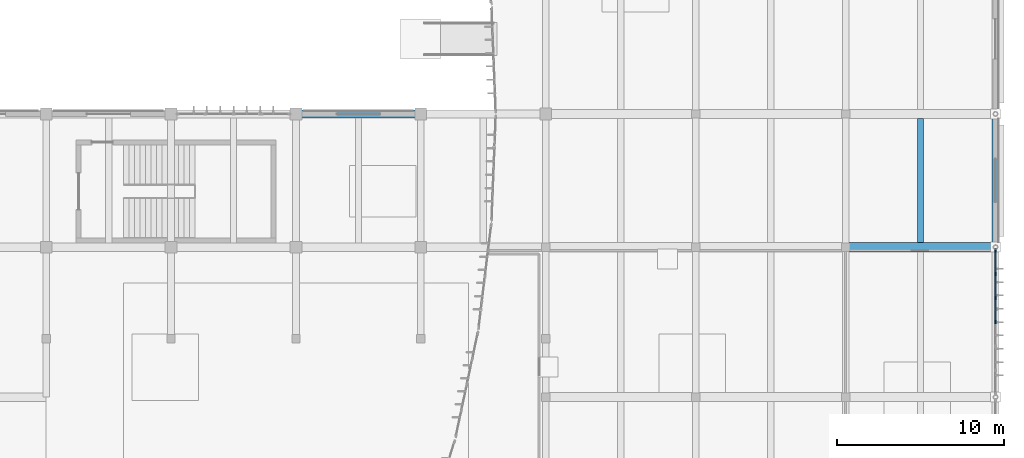
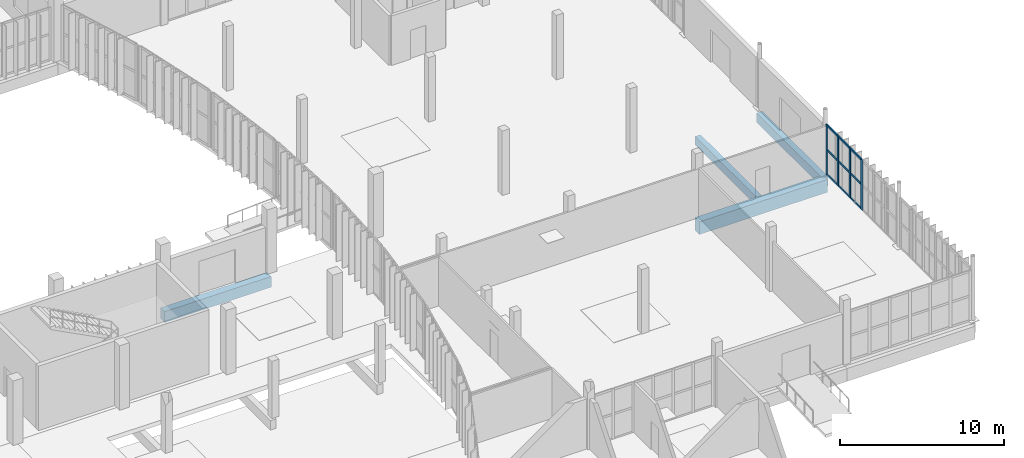
# One storey, part 28 of 72: 13 members, 4 beams, 1 element without a shape of its own.
"""IFC4 building model written with IfcOpenShell, lengths in metres."""

from ifc_helpers import new_model, si_unit, direction, frame, origin, origin_2d, place, context, subcontext, project, spatial, rectangle, extrude, material, material_profile, profile_set, type_object, element, aggregate, save


model = new_model("IFC4")

# Units and contexts
model_context = context("Model", 3, precision=1e-05, world=origin(), true_north=direction((0.0, 1.0)))
body_context = subcontext(model_context, "Body", "Model", "MODEL_VIEW")
ifc_project = project(units=[si_unit("LENGTHUNIT", "METRE"), si_unit("AREAUNIT", "SQUARE_METRE"), si_unit("VOLUMEUNIT", "CUBIC_METRE"), si_unit("PLANEANGLEUNIT", "RADIAN"), si_unit("MASSUNIT", "GRAM", prefix="KILO")], contexts=[model_context])

# Site, building, storey
site_placement = place(None, origin())
site = spatial("IfcSite", under=ifc_project, at=site_placement, CompositionType="ELEMENT")
building_placement = place(site_placement, origin())
building = spatial("IfcBuilding", under=site, at=building_placement, Name="Vourika Railside Aquatics Centre", CompositionType="ELEMENT")
storey_placement = place(building_placement, origin())
storey = spatial("IfcBuildingStorey", under=building, at=storey_placement, Name="L00", CompositionType="ELEMENT", Elevation=0.0)

# Beams
ifc_material_1 = material(Name="Concrete C35/45", Category="concrete")
ifc_material_profile_1 = material_profile(ifc_material_1, rectangle(XDim=0.39990234375, YDim=0.699951171875, at=origin_2d()), Name="RC 400x700")
ifc_profile_set_1 = profile_set([ifc_material_profile_1], Name="Concrete C35/45")
beam_type_1 = type_object("IfcBeamType", Name="BM-GIRD-400x700", PredefinedType="BEAM", material=ifc_profile_set_1)
beam_1_placement = place(storey_placement, frame((168.0, 58.0, -0.669921875), z_axis=(0.0, 1.0, 0.0), x_axis=(-1.0, 0.0, 0.0)))
element("IfcBeam", 1, at=beam_1_placement, inside=storey, type_object=beam_type_1, Name="Floor Girder GY-L00-346", PredefinedType="BEAM", context=body_context, shape_type="SweptSolid", body=[
    extrude(rectangle(XDim=0.39990234375, YDim=0.699951171875, at=origin_2d()), origin(), (0.0, 0.0, 1.0), 8.0),
])
ifc_material_2 = material(Name="Concrete C40/50", Category="concrete")
ifc_material_profile_2 = material_profile(ifc_material_2, rectangle(XDim=0.550048828125, YDim=0.949951171875, at=origin_2d()), Name="RC 550x950")
ifc_profile_set_2 = profile_set([ifc_material_profile_2], Name="Concrete C40/50")
beam_type_2 = type_object("IfcBeamType", Name="BM-GIRD-550x950", PredefinedType="BEAM", material=ifc_profile_set_2)
beam_2_placement = place(storey_placement, frame((159.0, 58.0, -0.794921875), z_axis=(1.0, 0.0, 0.0), x_axis=(0.0, 1.0, 0.0)))
element("IfcBeam", 2, at=beam_2_placement, inside=storey, type_object=beam_type_2, Name="Floor Beam GX-L00-094", PredefinedType="BEAM", context=body_context, shape_type="SweptSolid", body=[
    extrude(rectangle(XDim=0.550048828125, YDim=0.949951171875, at=origin_2d()), origin(), (0.0, 0.0, 1.0), 9.0),
])
ifc_material_profile_3 = material_profile(ifc_material_1, rectangle(XDim=0.3798828125, YDim=0.64990234375, at=origin_2d()), Name="RC 380x650")
ifc_profile_set_3 = profile_set([ifc_material_profile_3], Name="Concrete C35/45")
beam_type_3 = type_object("IfcBeamType", Name="BM-SEC-380x650", PredefinedType="JOIST", material=ifc_profile_set_3)
beam_3_placement = place(storey_placement, frame((163.5, 58.27490234375, -0.64501953125), z_axis=(0.0, 1.0, 0.0), x_axis=(-1.0, 0.0, 0.0)))
element("IfcBeam", 3, at=beam_3_placement, inside=storey, type_object=beam_type_3, Name="Secondary Joist JY-L00-418", PredefinedType="JOIST", context=body_context, shape_type="SweptSolid", body=[
    extrude(rectangle(XDim=0.3798828125, YDim=0.64990234375, at=origin_2d()), origin(), (0.0, 0.0, 1.0), 7.4501953125),
])
ifc_material_profile_4 = material_profile(ifc_material_2, rectangle(XDim=0.5, YDim=0.800048828125, at=origin_2d()), Name="RC 500x800")
ifc_profile_set_4 = profile_set([ifc_material_profile_4], Name="Concrete C40/50")
beam_type_4 = type_object("IfcBeamType", Name="BM-TIE-500x800", PredefinedType="BEAM", material=ifc_profile_set_4)
beam_4_placement = place(storey_placement, frame((126.0, 66.0, -0.719970703125), z_axis=(1.0, 0.0, 0.0), x_axis=(0.0, 1.0, 0.0)))
element("IfcBeam", 4, at=beam_4_placement, inside=storey, type_object=beam_type_4, Name="Floor Beam GX-L00-109", PredefinedType="BEAM", context=body_context, shape_type="SweptSolid", body=[
    extrude(rectangle(XDim=0.5, YDim=0.800048828125, at=origin_2d()), origin(), (0.0, 0.0, 1.0), 7.5),
])

# Curtain wall, members
ifc_material_3 = material(Name="Anodized thermally broken aluminium", Category="aluminium")
curtain_wall_type = type_object("IfcCurtainWallType", Name="CW-FOYE", PredefinedType="NOTDEFINED", material=ifc_material_3)
curtain_wall_placement = place(storey_placement, origin())
curtain_wall = element("IfcCurtainWall", 5, at=curtain_wall_placement, inside=storey, type_object=curtain_wall_type, Name="East Arrival Facade Curtain Wall L00-2", PredefinedType="NOTDEFINED")
ifc_material_4 = material(Name="Anodized aluminium mullion", Category="aluminium")
ifc_material_profile_5 = material_profile(ifc_material_4, rectangle(XDim=0.074951171875, YDim=0.199951171875, at=origin_2d()), Name="ALU-M 75x200")
ifc_profile_set_5 = profile_set([ifc_material_profile_5], Name="Anodized aluminium mullion")
member_type_1 = type_object("IfcMemberType", Name="CWM-FOYE", PredefinedType="MULLION", material=ifc_profile_set_5)
member_1_placement = place(storey_placement, frame((168.0, 53.5, 0.0), z_axis=(0.0, 0.0, 1.0), x_axis=(-1.0, 0.0, 0.0)))
member_1 = element("IfcMember", 6, at=member_1_placement, type_object=member_type_1, Name="CW10 mullion 4", PredefinedType="MULLION", context=body_context, shape_type="SweptSolid", body=[
    extrude(rectangle(XDim=0.074951171875, YDim=0.199951171875, at=origin_2d()), origin(), (0.0, 0.0, 1.0), 3.72998046875),
])
member_2_placement = place(storey_placement, frame((168.0, 54.944580078125, 0.0), z_axis=(0.0, 0.0, 1.0), x_axis=(-1.0, 0.0, 0.0)))
member_2 = element("IfcMember", 7, at=member_2_placement, type_object=member_type_1, Name="CW10 mullion 5", PredefinedType="MULLION", context=body_context, shape_type="SweptSolid", body=[
    extrude(rectangle(XDim=0.074951171875, YDim=0.199951171875, at=origin_2d()), origin(), (0.0, 0.0, 1.0), 3.72998046875),
])
member_3_placement = place(storey_placement, frame((168.0, 56.388916015625, 0.0), z_axis=(0.0, 0.0, 1.0), x_axis=(-1.0, 0.0, 0.0)))
member_3 = element("IfcMember", 8, at=member_3_placement, type_object=member_type_1, Name="CW10 mullion 6", PredefinedType="MULLION", context=body_context, shape_type="SweptSolid", body=[
    extrude(rectangle(XDim=0.074951171875, YDim=0.199951171875, at=origin_2d()), origin(), (0.0, 0.0, 1.0), 3.72998046875),
])
member_4_placement = place(storey_placement, frame((168.0, 57.7958984375, 0.0), z_axis=(0.0, 0.0, 1.0), x_axis=(-1.0, 0.0, 0.0)))
member_4 = element("IfcMember", 9, at=member_4_placement, type_object=member_type_1, Name="CW10 mullion 7", PredefinedType="MULLION", context=body_context, shape_type="SweptSolid", body=[
    extrude(rectangle(XDim=0.074951171875, YDim=0.199951171875, at=origin_2d()), origin(), (0.0, 0.0, 1.0), 3.72998046875),
])
ifc_material_5 = material(Name="Anodized aluminium transom", Category="aluminium")
ifc_material_profile_6 = material_profile(ifc_material_5, rectangle(XDim=0.074951171875, YDim=0.157958984375, at=origin_2d()), Name="ALU-T 75x158")
ifc_profile_set_6 = profile_set([ifc_material_profile_6], Name="Anodized aluminium transom")
member_type_2 = type_object("IfcMemberType", Name="CWT-FOYE", PredefinedType="USERDEFINED", material=ifc_profile_set_6)
member_5_placement = place(storey_placement, frame((168.0, 53.53759765625, 0.03759765625), z_axis=(0.0, 1.0, 0.0), x_axis=(-1.0, 0.0, 0.0)))
member_5 = element("IfcMember", 10, at=member_5_placement, type_object=member_type_2, Name="CW10 transom 4.1", ObjectType="TRANSOM", PredefinedType="USERDEFINED", context=body_context, shape_type="SweptSolid", body=[
    extrude(rectangle(XDim=0.074951171875, YDim=0.157958984375, at=origin_2d()), origin(), (0.0, 0.0, 1.0), 1.369384765625),
])
member_6_placement = place(storey_placement, frame((168.0, 53.53759765625, 1.864990234375), z_axis=(0.0, 1.0, 0.0), x_axis=(-1.0, 0.0, 0.0)))
member_6 = element("IfcMember", 11, at=member_6_placement, type_object=member_type_2, Name="CW10 transom 4.2", ObjectType="TRANSOM", PredefinedType="USERDEFINED", context=body_context, shape_type="SweptSolid", body=[
    extrude(rectangle(XDim=0.074951171875, YDim=0.157958984375, at=origin_2d()), origin(), (0.0, 0.0, 1.0), 1.369384765625),
])
member_7_placement = place(storey_placement, frame((168.0, 53.53759765625, 3.6923828125), z_axis=(0.0, 1.0, 0.0), x_axis=(-1.0, 0.0, 0.0)))
member_7 = element("IfcMember", 12, at=member_7_placement, type_object=member_type_2, Name="CW10 transom 4.3", ObjectType="TRANSOM", PredefinedType="USERDEFINED", context=body_context, shape_type="SweptSolid", body=[
    extrude(rectangle(XDim=0.074951171875, YDim=0.157958984375, at=origin_2d()), origin(), (0.0, 0.0, 1.0), 1.369384765625),
])
member_8_placement = place(storey_placement, frame((168.0, 54.98193359375, 0.03759765625), z_axis=(0.0, 1.0, 0.0), x_axis=(-1.0, 0.0, 0.0)))
member_8 = element("IfcMember", 13, at=member_8_placement, type_object=member_type_2, Name="CW10 transom 5.1", ObjectType="TRANSOM", PredefinedType="USERDEFINED", context=body_context, shape_type="SweptSolid", body=[
    extrude(rectangle(XDim=0.074951171875, YDim=0.157958984375, at=origin_2d()), origin(), (0.0, 0.0, 1.0), 1.36962890625),
])
member_9_placement = place(storey_placement, frame((168.0, 54.98193359375, 1.864990234375), z_axis=(0.0, 1.0, 0.0), x_axis=(-1.0, 0.0, 0.0)))
member_9 = element("IfcMember", 14, at=member_9_placement, type_object=member_type_2, Name="CW10 transom 5.2", ObjectType="TRANSOM", PredefinedType="USERDEFINED", context=body_context, shape_type="SweptSolid", body=[
    extrude(rectangle(XDim=0.074951171875, YDim=0.157958984375, at=origin_2d()), origin(), (0.0, 0.0, 1.0), 1.36962890625),
])
member_10_placement = place(storey_placement, frame((168.0, 54.98193359375, 3.6923828125), z_axis=(0.0, 1.0, 0.0), x_axis=(-1.0, 0.0, 0.0)))
member_10 = element("IfcMember", 15, at=member_10_placement, type_object=member_type_2, Name="CW10 transom 5.3", ObjectType="TRANSOM", PredefinedType="USERDEFINED", context=body_context, shape_type="SweptSolid", body=[
    extrude(rectangle(XDim=0.074951171875, YDim=0.157958984375, at=origin_2d()), origin(), (0.0, 0.0, 1.0), 1.36962890625),
])
member_11_placement = place(storey_placement, frame((168.0, 56.426513671875, 0.03759765625), z_axis=(0.0, 1.0, 0.0), x_axis=(-1.0, 0.0, 0.0)))
member_11 = element("IfcMember", 16, at=member_11_placement, type_object=member_type_2, Name="CW10 transom 6.1", ObjectType="TRANSOM", PredefinedType="USERDEFINED", context=body_context, shape_type="SweptSolid", body=[
    extrude(rectangle(XDim=0.074951171875, YDim=0.157958984375, at=origin_2d()), origin(), (0.0, 0.0, 1.0), 1.33203125),
])
member_12_placement = place(storey_placement, frame((168.0, 56.426513671875, 1.864990234375), z_axis=(0.0, 1.0, 0.0), x_axis=(-1.0, 0.0, 0.0)))
member_12 = element("IfcMember", 17, at=member_12_placement, type_object=member_type_2, Name="CW10 transom 6.2", ObjectType="TRANSOM", PredefinedType="USERDEFINED", context=body_context, shape_type="SweptSolid", body=[
    extrude(rectangle(XDim=0.074951171875, YDim=0.157958984375, at=origin_2d()), origin(), (0.0, 0.0, 1.0), 1.33203125),
])
member_13_placement = place(storey_placement, frame((168.0, 56.426513671875, 3.6923828125), z_axis=(0.0, 1.0, 0.0), x_axis=(-1.0, 0.0, 0.0)))
member_13 = element("IfcMember", 18, at=member_13_placement, type_object=member_type_2, Name="CW10 transom 6.3", ObjectType="TRANSOM", PredefinedType="USERDEFINED", context=body_context, shape_type="SweptSolid", body=[
    extrude(rectangle(XDim=0.074951171875, YDim=0.157958984375, at=origin_2d()), origin(), (0.0, 0.0, 1.0), 1.33203125),
])
aggregate(curtain_wall, [member_1, member_2, member_3, member_4, member_5, member_6, member_7, member_8, member_9, member_10, member_11, member_12, member_13])

save(model, "model.ifc")
